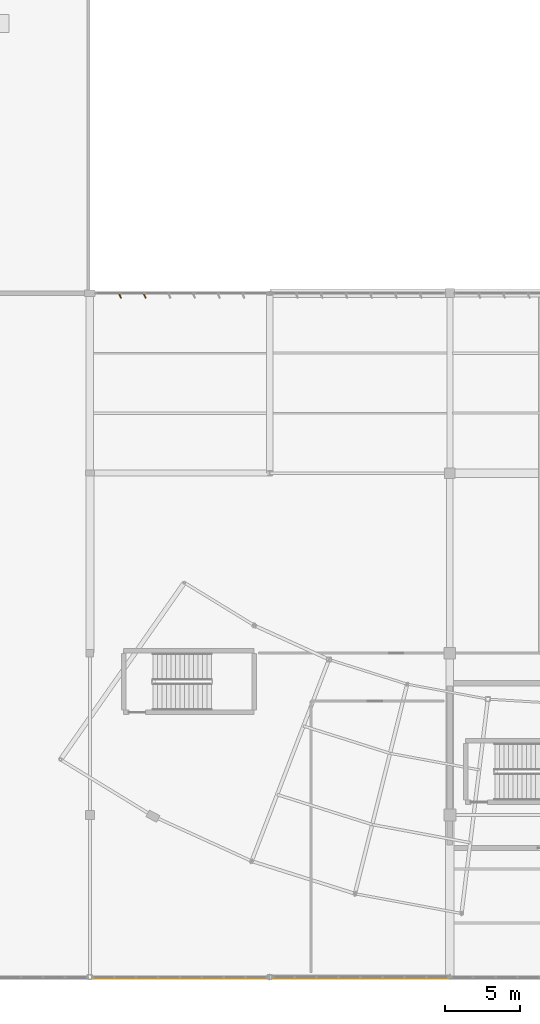
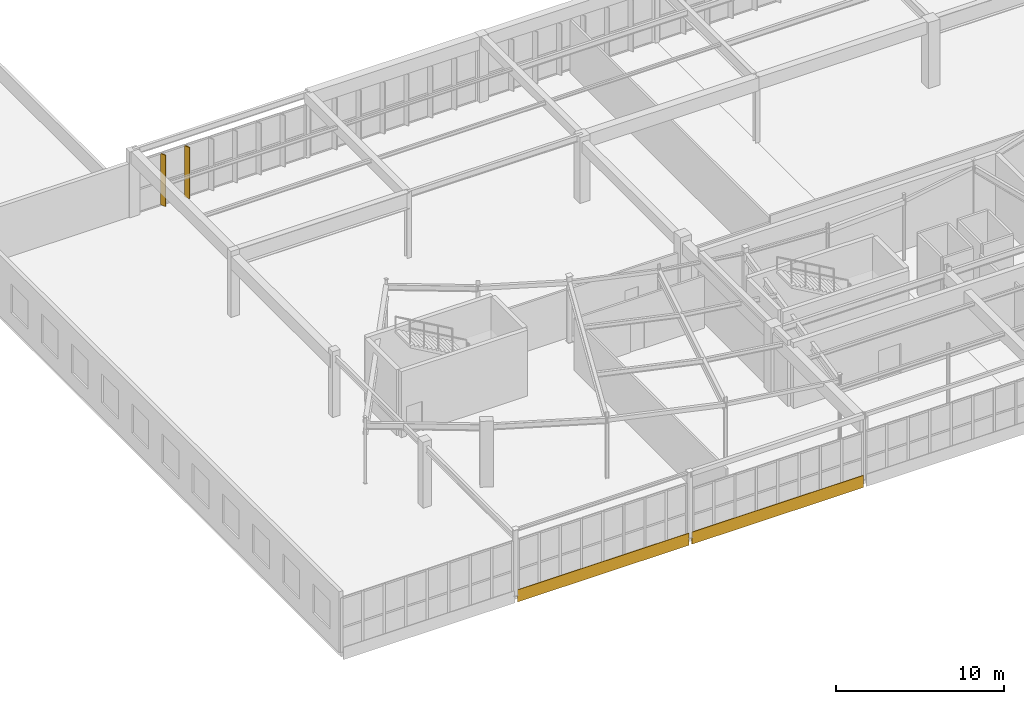
# One storey, part 165 of 186: 2 coverings, 2 shading devices.
"""IFC4 building model written with IfcOpenShell, lengths in metres."""

from ifc_helpers import new_model, si_unit, direction, frame, origin, origin_2d, place, context, subcontext, project, spatial, rectangle, extrude, material, layer, layer_set, type_object, element, save


model = new_model("IFC4")

# Units and contexts
model_context = context("Model", 3, precision=1e-05, world=origin(), true_north=direction((0.0, 1.0)))
body_context = subcontext(model_context, "Body", "Model", "MODEL_VIEW")
ifc_project = project(units=[si_unit("LENGTHUNIT", "METRE"), si_unit("AREAUNIT", "SQUARE_METRE"), si_unit("VOLUMEUNIT", "CUBIC_METRE"), si_unit("PLANEANGLEUNIT", "RADIAN"), si_unit("MASSUNIT", "GRAM", prefix="KILO")], contexts=[model_context])

# Site, building, storey
site_placement = place(None, origin())
site = spatial("IfcSite", under=ifc_project, at=site_placement, CompositionType="ELEMENT")
building_placement = place(site_placement, origin())
building = spatial("IfcBuilding", under=site, at=building_placement, Name="Tarnwether General Hospital", CompositionType="ELEMENT")
storey_placement = place(building_placement, frame((0.0, 0.0, 9.60009765625)))
storey = spatial("IfcBuildingStorey", under=building, at=storey_placement, Name="L02", CompositionType="ELEMENT", Elevation=9.60009765625)

# Coverings
ifc_material_1 = material(Name="Folded zinc-titanium cladding")
ifc_layer_1 = layer(ifc_material_1, 0.0400390625)
ifc_layer_set_1 = layer_set([ifc_layer_1], Name="Folded zinc-titanium cladding")
covering_type = type_object("IfcCoveringType", Name="CV-CLD-ZNC", PredefinedType="CLADDING", material=ifc_layer_set_1)
for number, where, z_axis, x_axis, name in (
    (1, (66.0, -0.090087890625, -0.52001953125), (0.0, 0.0, 1.0), (1.0, 0.0, 0.0), "Diagnostic Base Faceted Zinc Spandrel 077"),
    (2, (78.0, -0.090087890625, -0.52001953125), (0.0, 0.0, 1.0), (1.0, 0.0, 0.0), "Diagnostic Base Faceted Zinc Spandrel 078"),
):
    element("IfcCovering", number, at=place(storey_placement, frame(where, z_axis=z_axis, x_axis=x_axis)), inside=storey, type_object=covering_type, Name=name, PredefinedType="CLADDING", context=body_context, shape_type="SweptSolid", body=[
        extrude(rectangle(XDim=11.800048828125, YDim=0.0400390625, at=origin_2d()), origin(), (0.0, 0.0, 1.0), 0.8798828125),
    ])

# Shading devices
ifc_material_2 = material(Name="Champagne-bronze anodised aluminium", Category="aluminium")
ifc_layer_2 = layer(ifc_material_2, 0.06005859375)
ifc_layer_set_2 = layer_set([ifc_layer_2], Name="Champagne-bronze anodised aluminium")
shading_device_type = type_object("IfcShadingDeviceType", Name="SH-FIN-BRZ", PredefinedType="USERDEFINED", material=ifc_layer_set_2)
for number, where, z_axis, x_axis, name in (
    (3, (63.64501953125, 45.43994140625, 0.0498046875), (0.0, 0.0, 1.0), (-0.906307787037, -0.422618261741, 0.0), "Champagne-Bronze Brise-Soleil Fin 0464"),
    (4, (62.001953125, 45.43994140625, 0.0498046875), (0.0, 0.0, 1.0), (-0.906307787037, -0.422618261741, 0.0), "Champagne-Bronze Brise-Soleil Fin 0465"),
):
    element("IfcShadingDevice", number, at=place(storey_placement, frame(where, z_axis=z_axis, x_axis=x_axis)), inside=storey, type_object=shading_device_type, Name=name, ObjectType="SOLAR FIN", PredefinedType="USERDEFINED", context=body_context, shape_type="SweptSolid", body=[
        extrude(rectangle(XDim=0.06005859375, YDim=0.360107421875, at=origin_2d()), origin(), (0.0, 0.0, 1.0), 3.735107421875),
    ])

save(model, "model.ifc")
